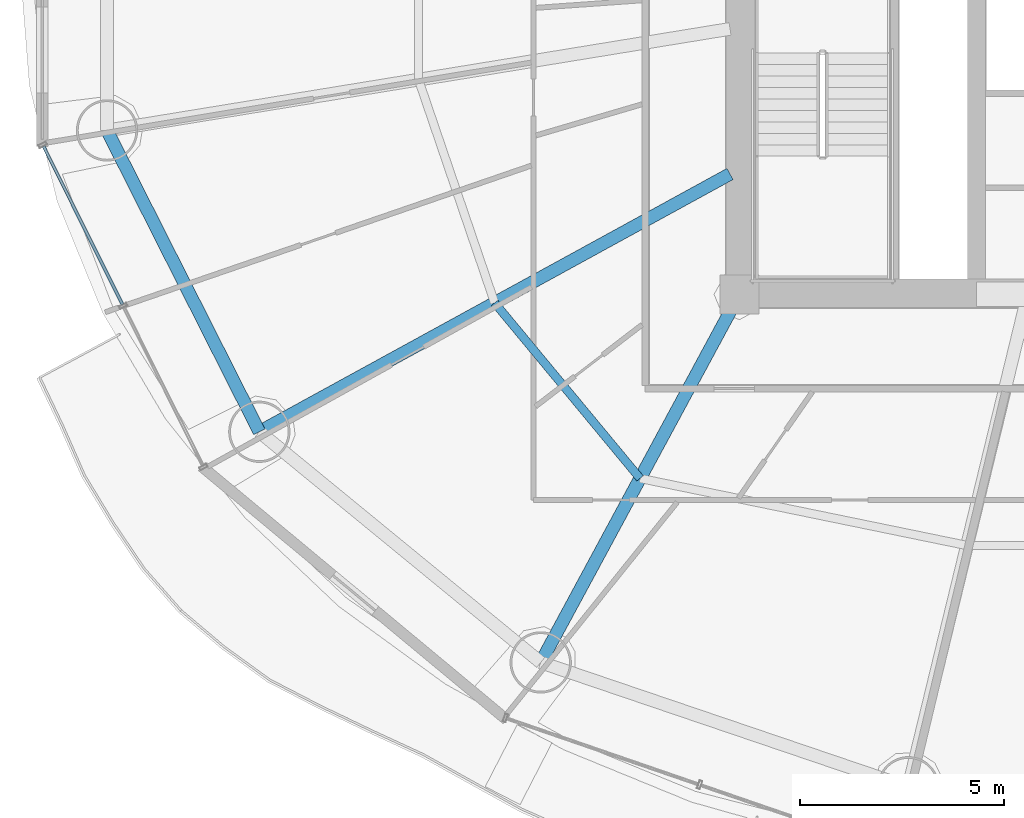
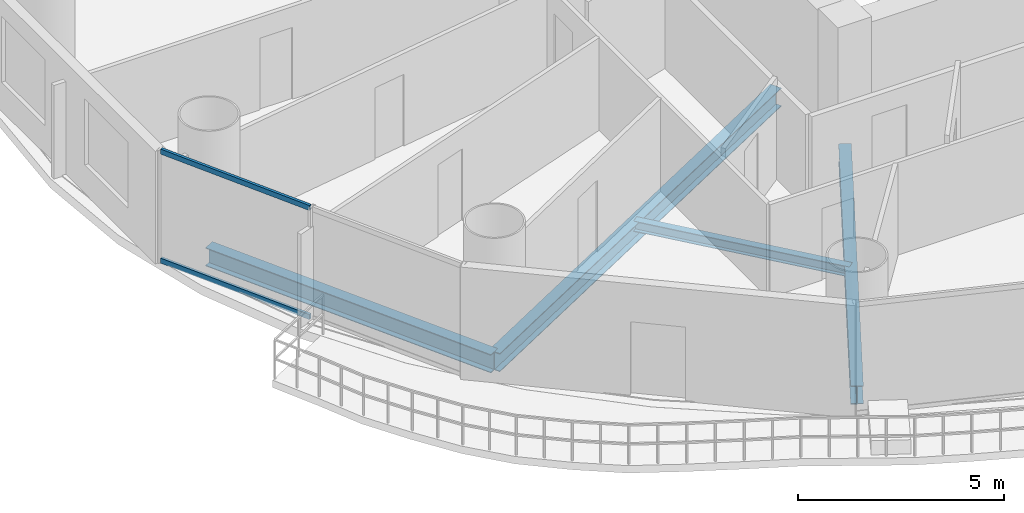
# One storey, part 3 of 29: 4 beams, 2 members, 1 element without a shape of its own.
"""IFC4 building model written with IfcOpenShell, lengths in metres."""

from ifc_helpers import new_model, si_unit, direction, frame, origin, origin_2d, place, context, subcontext, project, spatial, hollow_rectangle, i_section, extrude, source, transform, mapped, material, material_profile, profile_set, type_object, element, aggregate, save


model = new_model("IFC4")

# Units and contexts
model_context = context("Model", 3, precision=1e-05, world=origin(), true_north=direction((-0.2419218956, 0.970295726276)))
body_context = subcontext(model_context, "Body", "Model", "MODEL_VIEW")
ifc_project = project(units=[si_unit("LENGTHUNIT", "METRE"), si_unit("AREAUNIT", "SQUARE_METRE"), si_unit("VOLUMEUNIT", "CUBIC_METRE"), si_unit("PLANEANGLEUNIT", "RADIAN"), si_unit("MASSUNIT", "GRAM", prefix="KILO")], contexts=[model_context])

# Site, building, storey
site_placement = place(None, origin())
site = spatial("IfcSite", under=ifc_project, at=site_placement, CompositionType="ELEMENT")
building_placement = place(site_placement, origin())
building = spatial("IfcBuilding", under=site, at=building_placement, Name="Cobrevalo Terracotta Tower", CompositionType="ELEMENT")
storey_placement = place(building_placement, frame((0.0, 0.0, 97.800048828125)))
storey = spatial("IfcBuildingStorey", under=building, at=storey_placement, Name="L25", CompositionType="ELEMENT", Elevation=97.800048828125)

# Beams
ifc_material_1 = material(Name="Steel S355", Category="steel")
ifc_material_profile_1 = material_profile(ifc_material_1, i_section(OverallWidth=0.31201171875, OverallDepth=0.54296875, WebThickness=0.0126953125, FlangeThickness=0.020263671875, at=origin_2d()), Name="W 530x150")
ifc_profile_set_1 = profile_set([ifc_material_profile_1], Name="Steel S355")
beam_type_1 = type_object("IfcBeamType", Name="Structural Beam W 530x150 (Steel S355)", PredefinedType="BEAM", material=ifc_profile_set_1)
beam_1_placement = place(storey_placement, frame((17.2548828125, 15.4384765625, -0.546630859375), z_axis=(0.877072765004, 0.480357538599, 0.0), x_axis=(-0.480357538599, 0.877072765004, 0.0)))
element("IfcBeam", 1, at=beam_1_placement, inside=storey, type_object=beam_type_1, Name="L25 radial floor girder 10", PredefinedType="BEAM", context=body_context, shape_type="SweptSolid", body=[
    extrude(i_section(OverallWidth=0.31201171875, OverallDepth=0.54296875, WebThickness=0.0126953125, FlangeThickness=0.020263671875, at=origin_2d()), origin(), (0.0, 0.0, 1.0), 13.129150390625),
])
beam_2_placement = place(storey_placement, frame((24.138427734375, 9.79638671875, -0.546630859375), z_axis=(0.475118249298, 0.879921956303, 0.0), x_axis=(-0.879921956303, 0.475118249298, 0.0)))
element("IfcBeam", 2, at=beam_2_placement, inside=storey, type_object=beam_type_1, Name="L25 radial floor girder 11", PredefinedType="BEAM", context=body_context, shape_type="SweptSolid", body=[
    extrude(i_section(OverallWidth=0.31201171875, OverallDepth=0.54296875, WebThickness=0.0126953125, FlangeThickness=0.020263671875, at=origin_2d()), origin(), (0.0, 0.0, 1.0), 10.232421875),
])
ifc_material_profile_2 = material_profile(ifc_material_1, i_section(OverallWidth=0.2041015625, OverallDepth=0.305908203125, WebThickness=0.008544921875, FlangeThickness=0.0146484375, at=origin_2d()), Name="W 310x67")
ifc_profile_set_2 = profile_set([ifc_material_profile_2], Name="Steel S355")
beam_type_2 = type_object("IfcBeamType", Name="Structural Joist W 310x67 (Steel S355)", PredefinedType="JOIST", material=ifc_profile_set_2)
beam_3_placement = place(storey_placement, frame((23.012451171875, 18.591796875, -0.427978515625), z_axis=(0.6379592588, -0.77007011636, 0.0), x_axis=(0.77007011636, 0.6379592588, 0.0)))
element("IfcBeam", 3, at=beam_3_placement, inside=storey, type_object=beam_type_2, Name="L25 circumferential secondary floor joist 10", PredefinedType="JOIST", context=body_context, shape_type="SweptSolid", body=[
    extrude(i_section(OverallWidth=0.2041015625, OverallDepth=0.305908203125, WebThickness=0.008544921875, FlangeThickness=0.0146484375, at=origin_2d()), origin(), (0.0, 0.0, 1.0), 5.575439453125),
])
ifc_material_profile_3 = material_profile(ifc_material_1, i_section(OverallWidth=0.31201171875, OverallDepth=0.54296875, WebThickness=0.0126953125, FlangeThickness=0.020263671875, at=origin_2d()), Name="W 530x150")
ifc_profile_set_3 = profile_set([ifc_material_profile_3], Name="Steel S355")
beam_type_3 = type_object("IfcBeamType", Name="Structural Spandrel W 530x150 (Steel S355)", PredefinedType="SPANDREL", material=ifc_profile_set_3)
beam_4_placement = place(storey_placement, frame((13.529296875, 22.810302734375, -0.546630859375), z_axis=(0.451051982172, -0.892497680321, 0.0), x_axis=(0.892497680321, 0.451051982172, 0.0)))
element("IfcBeam", 4, at=beam_4_placement, inside=storey, type_object=beam_type_3, Name="L25 perimeter ring spandrel 09", PredefinedType="SPANDREL", context=body_context, shape_type="SweptSolid", body=[
    extrude(i_section(OverallWidth=0.31201171875, OverallDepth=0.54296875, WebThickness=0.0126953125, FlangeThickness=0.020263671875, at=origin_2d()), origin(), (0.0, 0.0, 1.0), 8.259765625),
])

# Curtain wall, members
ifc_material_2 = material(Name="Anodized aluminium", Category="aluminium")
curtain_wall_type = type_object("IfcCurtainWallType", Name="Lower-tower unitised acoustic low-E curtain wall CW-U1", PredefinedType="NOTDEFINED", material=ifc_material_2)
curtain_wall_placement = place(storey_placement, origin())
curtain_wall = element("IfcCurtainWall", 5, at=curtain_wall_placement, inside=storey, type_object=curtain_wall_type, Name="L25 curtain wall CW-L25-S09", PredefinedType="NOTDEFINED")
ifc_material_profile_4 = material_profile(ifc_material_2, hollow_rectangle(XDim=0.074951171875, YDim=0.14990234375, WallThickness=0.00439453125, at=origin_2d()), Name="CWT 75x150")
ifc_profile_set_4 = profile_set([ifc_material_profile_4], Name="Anodized aluminium")
member_type = type_object("IfcMemberType", Name="Tower unitised aluminium transom 75x150", PredefinedType="USERDEFINED", material=ifc_profile_set_4)
shared_shape = source(origin(), body_context, "Body", "SweptSolid", [
    extrude(hollow_rectangle(XDim=0.074951171875, YDim=0.14990234375, WallThickness=0.00439453125, at=origin_2d()), origin(), (0.0, 0.0, 1.0), 4.324951171875),
])
member_1_placement = place(storey_placement, frame((11.976318359375, 22.4228515625, 0.050048828125), z_axis=(0.446219838389, -0.894923379864, 0.0), x_axis=(0.894923379864, 0.446219838389, 0.0)))
member_1 = element("IfcMember", 6, at=member_1_placement, type_object=member_type, Name="CW-L25-S09 transom B01-T1", ObjectType="TRANSOM", PredefinedType="USERDEFINED", context=body_context, shape_type="MappedRepresentation", body=[
    mapped(shared_shape, transform((0.0, 0.0, 0.0), scale=1.0)),
])
member_2_placement = place(storey_placement, frame((11.976318359375, 22.4228515625, 3.27490234375), z_axis=(0.446219838389, -0.894923379864, 0.0), x_axis=(0.894923379864, 0.446219838389, 0.0)))
member_2 = element("IfcMember", 7, at=member_2_placement, type_object=member_type, Name="CW-L25-S09 transom B01-T2", ObjectType="TRANSOM", PredefinedType="USERDEFINED", context=body_context, shape_type="MappedRepresentation", body=[
    mapped(shared_shape, transform((0.0, 0.0, 0.0), scale=1.0)),
])
aggregate(curtain_wall, [member_1, member_2])

save(model, "model.ifc")
